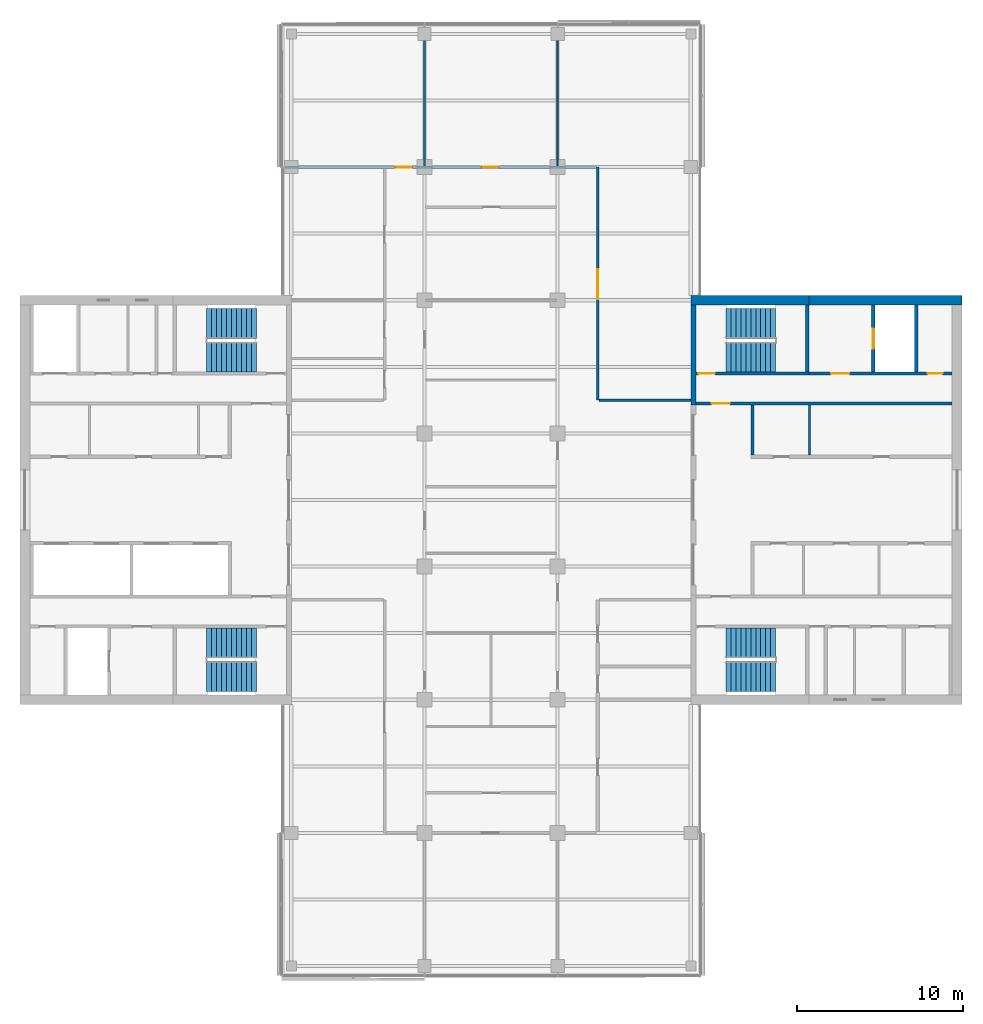
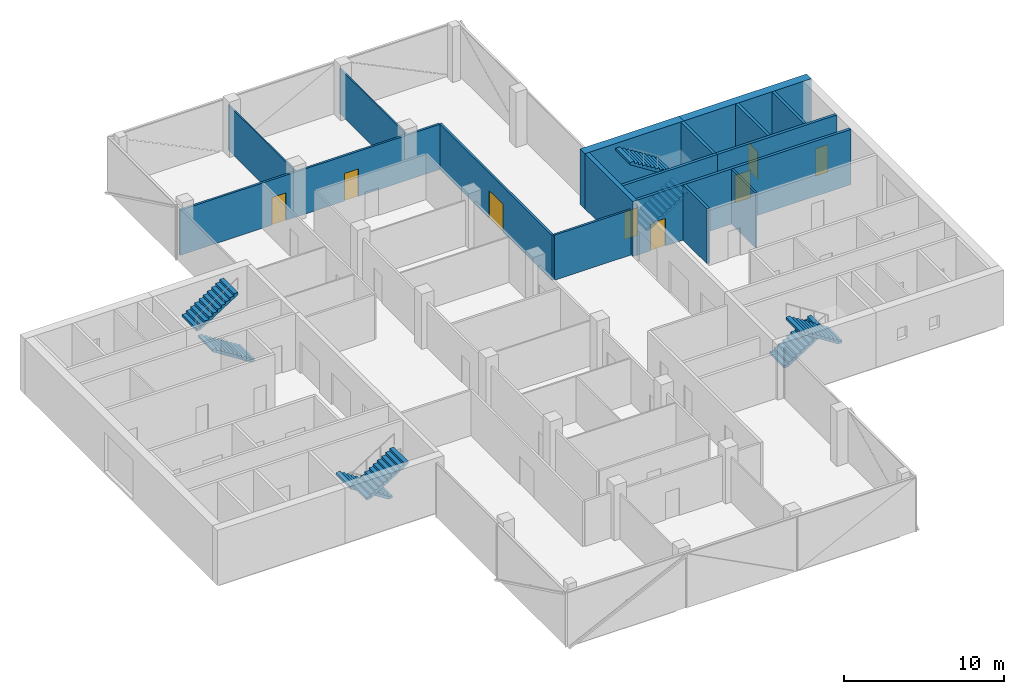
# One storey, part 12 of 15: 16 walls, 8 doors, 8 stair flights, 8 openings, 4 elements without a shape of their own.
"""IFC4 building model written with IfcOpenShell, lengths in metres."""

from ifc_helpers import new_model, si_unit, direction, frame, frame_2d, origin, place, context, subcontext, project, spatial, polyline, rectangle, outline, extrude, material, layer, layer_set, constituent, constituent_set, type_object, element, fill, aggregate, save


model = new_model("IFC4")

# Units and contexts
model_context = context("Model", 3, precision=1e-05, world=origin(), true_north=direction((0.0, 1.0)))
body_context = subcontext(model_context, "Body", "Model", "MODEL_VIEW")
ifc_project = project(units=[si_unit("LENGTHUNIT", "METRE"), si_unit("AREAUNIT", "SQUARE_METRE"), si_unit("VOLUMEUNIT", "CUBIC_METRE"), si_unit("PLANEANGLEUNIT", "RADIAN"), si_unit("MASSUNIT", "GRAM", prefix="KILO")], contexts=[model_context])

# Site, building, storey
site_placement = place(None, origin())
site = spatial("IfcSite", under=ifc_project, at=site_placement, CompositionType="ELEMENT")
building_placement = place(site_placement, origin())
building = spatial("IfcBuilding", under=site, at=building_placement, Name="Crosswind Convention Tower", CompositionType="ELEMENT")
storey_placement = place(building_placement, frame((0.0, 0.0, 187.300048828125)))
storey = spatial("IfcBuildingStorey", under=building, at=storey_placement, Name="L39", CompositionType="ELEMENT", Elevation=187.300048828125)

# Walls
ifc_material_1 = material(Name="Concrete C50/60", Category="concrete")
ifc_layer_1 = layer(ifc_material_1, 0.300048828125)
ifc_layer_set_1 = layer_set([ifc_layer_1], Name="Concrete C50/60")
wall_type_1 = type_object("IfcWallType", Name="Concrete inner core wall 300", PredefinedType="SHEAR", material=ifc_layer_set_1)
wall_1_placement = place(storey_placement, frame((137.14990234375, 105.699951171875, 0.0), z_axis=(0.0, 0.0, 1.0), x_axis=(0.0, 1.0, 0.0)))
element("IfcWall", 1, at=wall_1_placement, inside=storey, type_object=wall_type_1, Name="Wall EP E L39", PredefinedType="SHEAR", context=body_context, shape_type="SweptSolid", body=[
    extrude(rectangle(XDim=6.0, YDim=0.300048828125, at=frame_2d((3.0, 0.0))), origin(), (0.0, 0.0, 1.0), 4.199951171875),
])
ifc_layer_2 = layer(ifc_material_1, 0.199951171875)
ifc_layer_set_2 = layer_set([ifc_layer_2], Name="Concrete C50/60")
wall_type_2 = type_object("IfcWallType", Name="Concrete shaft and stair wall 200", PredefinedType="SHEAR", material=ifc_layer_set_2)
wall_2_placement = place(storey_placement, frame((140.699951171875, 102.699951171875, 0.0), z_axis=(0.0, 0.0, 1.0), x_axis=(0.0, 1.0, 0.0)))
element("IfcWall", 2, at=wall_2_placement, inside=storey, type_object=wall_type_2, Name="Wall RPEND E L39", PredefinedType="SHEAR", context=body_context, shape_type="SweptSolid", body=[
    extrude(rectangle(XDim=3.0, YDim=0.199951171875, at=frame_2d((1.5, 0.0))), origin(), (0.0, 0.0, 1.0), 4.199951171875),
])

# Wall, opening, door
wall_3_placement = place(storey_placement, frame((137.300048828125, 105.800048828125, 0.0), z_axis=(0.0, 0.0, 1.0), x_axis=(1.0, 0.0, 0.0)))
wall_3 = element("IfcWall", 3, at=wall_3_placement, inside=storey, type_object=wall_type_2, Name="Wall HP E L39", PredefinedType="SHEAR", context=body_context, shape_type="SweptSolid", body=[
    extrude(rectangle(XDim=15.39990234375, YDim=0.199951171875, at=frame_2d((7.699951171875, 0.0))), origin(), (0.0, 0.0, 1.0), 4.199951171875),
])
opening_1_placement = place(wall_3_placement, frame((0.949951171875, 0.0, 0.0)))
opening_1 = element("IfcOpeningElement", 4, at=opening_1_placement, cuts=wall_3, Name="Opening D104", PredefinedType="OPENING", context=body_context, shape_type="SweptSolid", body=[
    extrude(rectangle(XDim=1.10009765625, YDim=2.10009765625, at=frame_2d((0.550048828125, 1.050048828125))), frame((0.0, 0.10986328125, 0.0), z_axis=(0.0, -1.0, 0.0), x_axis=(1.0, 0.0, 0.0)), (0.0, 0.0, 1.0), 0.219970703125),
])
ifc_material_2 = material(Name="Steel fire door", Category="steel")
door_type_1 = type_object("IfcDoorType", Name="Fire-rated single door 1100x2100", OperationType="NOTDEFINED", PredefinedType="DOOR", material=ifc_material_2)
door_1_placement = place(opening_1_placement, origin())
door_1 = element("IfcDoor", 5, at=door_1_placement, inside=storey, type_object=door_type_1, Name="Corridor door L39", ObjectType="D104", OperationType="SINGLE_SWING_LEFT", OverallHeight=2.10009765625, OverallWidth=1.10009765625, PredefinedType="DOOR", context=body_context, shape_type="SweptSolid", body=[
    extrude(rectangle(XDim=1.10009765625, YDim=2.10009765625, at=frame_2d((0.550048828125, 1.050048828125))), frame((0.0, 0.02490234375, 0.0), z_axis=(0.0, -1.0, 0.0), x_axis=(1.0, 0.0, 0.0)), (0.0, 0.0, 1.0), 0.050048828125),
])
fill(opening_1, door_1)

# Wall
wall_4_placement = place(storey_placement, frame((144.0, 107.699951171875, 0.0), z_axis=(0.0, 0.0, 1.0), x_axis=(0.0, 1.0, 0.0)))
element("IfcWall", 6, at=wall_4_placement, inside=storey, type_object=wall_type_2, Name="Wall PSE E L39", PredefinedType="SHEAR", context=body_context, shape_type="SweptSolid", body=[
    extrude(rectangle(XDim=4.0, YDim=0.199951171875, at=frame_2d((2.0, 0.0))), origin(), (0.0, 0.0, 1.0), 4.199951171875),
])

# Wall, opening, door
wall_5_placement = place(storey_placement, frame((147.949951171875, 107.699951171875, 0.0), z_axis=(0.0, 0.0, 1.0), x_axis=(0.0, 1.0, 0.0)))
wall_5 = element("IfcWall", 7, at=wall_5_placement, inside=storey, type_object=wall_type_2, Name="Wall PFLW E L39", PredefinedType="SHEAR", context=body_context, shape_type="SweptSolid", body=[
    extrude(rectangle(XDim=4.0, YDim=0.199951171875, at=frame_2d((2.0, 0.0))), origin(), (0.0, 0.0, 1.0), 4.199951171875),
])
opening_2_placement = place(wall_5_placement, frame((1.39990234375, 0.0, 0.0)))
opening_2 = element("IfcOpeningElement", 8, at=opening_2_placement, cuts=wall_5, Name="Opening LD1", PredefinedType="OPENING", context=body_context, shape_type="SweptSolid", body=[
    extrude(rectangle(XDim=1.199951171875, YDim=2.10009765625, at=frame_2d((0.60009765625, 1.050048828125))), frame((0.0, 0.10986328125, 0.0), z_axis=(0.0, -1.0, 0.0), x_axis=(1.0, 0.0, 0.0)), (0.0, 0.0, 1.0), 0.219970703125),
])
ifc_material_3 = material(Name="Stainless steel", Category="steel")
door_type_2 = type_object("IfcDoorType", Name="Lift landing door 1200x2100", OperationType="DOUBLE_DOOR_SLIDING", PredefinedType="DOOR", material=ifc_material_3)
door_2_placement = place(opening_2_placement, origin())
door_2 = element("IfcDoor", 9, at=door_2_placement, inside=storey, type_object=door_type_2, Name="Landing door FF1 L39", ObjectType="LD1", OperationType="DOUBLE_DOOR_SLIDING", OverallHeight=2.10009765625, OverallWidth=1.199951171875, PredefinedType="DOOR", context=body_context, shape_type="SweptSolid", body=[
    extrude(rectangle(XDim=1.199951171875, YDim=2.10009765625, at=frame_2d((0.60009765625, 1.050048828125))), frame((0.0, 0.02490234375, 0.0), z_axis=(0.0, -1.0, 0.0), x_axis=(1.0, 0.0, 0.0)), (0.0, 0.0, 1.0), 0.050048828125),
])
fill(opening_2, door_2)

# Wall
wall_6_placement = place(storey_placement, frame((150.550048828125, 107.699951171875, 0.0), z_axis=(0.0, 0.0, 1.0), x_axis=(0.0, 1.0, 0.0)))
element("IfcWall", 10, at=wall_6_placement, inside=storey, type_object=wall_type_2, Name="Wall PFSE E L39", PredefinedType="SHEAR", context=body_context, shape_type="SweptSolid", body=[
    extrude(rectangle(XDim=4.0, YDim=0.199951171875, at=frame_2d((2.0, 0.0))), origin(), (0.0, 0.0, 1.0), 4.199951171875),
])

# Wall, opening, door
wall_7_placement = place(storey_placement, frame((137.300048828125, 107.60009765625, 0.0), z_axis=(0.0, 0.0, 1.0), x_axis=(1.0, 0.0, 0.0)))
wall_7 = element("IfcWall", 11, at=wall_7_placement, inside=storey, type_object=wall_type_2, Name="Wall PCW E L39", PredefinedType="SHEAR", context=body_context, shape_type="SweptSolid", body=[
    extrude(rectangle(XDim=6.800048828125, YDim=0.199951171875, at=frame_2d((3.39990234375, 0.0))), origin(), (0.0, 0.0, 1.0), 4.199951171875),
])
opening_3_placement = place(wall_7_placement, frame((0.14990234375, 0.0, 0.0)))
opening_3 = element("IfcOpeningElement", 12, at=opening_3_placement, cuts=wall_7, Name="Opening D103", PredefinedType="OPENING", context=body_context, shape_type="SweptSolid", body=[
    extrude(rectangle(XDim=1.0, YDim=2.10009765625, at=frame_2d((0.5, 1.050048828125))), frame((0.0, 0.10986328125, 0.0), z_axis=(0.0, -1.0, 0.0), x_axis=(1.0, 0.0, 0.0)), (0.0, 0.0, 1.0), 0.219970703125),
])
door_type_3 = type_object("IfcDoorType", Name="Fire-rated single door 1000x2100", OperationType="NOTDEFINED", PredefinedType="DOOR", material=ifc_material_2)
door_3_placement = place(opening_3_placement, origin())
door_3 = element("IfcDoor", 13, at=door_3_placement, inside=storey, type_object=door_type_3, Name="Stair ST1 door L39", ObjectType="D103", OperationType="SINGLE_SWING_LEFT", OverallHeight=2.10009765625, OverallWidth=1.0, PredefinedType="DOOR", context=body_context, shape_type="SweptSolid", body=[
    extrude(rectangle(XDim=1.0, YDim=2.10009765625, at=frame_2d((0.5, 1.050048828125))), frame((0.0, 0.02490234375, 0.0), z_axis=(0.0, -1.0, 0.0), x_axis=(1.0, 0.0, 0.0)), (0.0, 0.0, 1.0), 0.050048828125),
])
fill(opening_3, door_3)

# Wall, openings, doors
wall_8_placement = place(storey_placement, frame((144.10009765625, 107.60009765625, 0.0), z_axis=(0.0, 0.0, 1.0), x_axis=(1.0, 0.0, 0.0)))
wall_8 = element("IfcWall", 14, at=wall_8_placement, inside=storey, type_object=wall_type_2, Name="Wall PCX E L39", PredefinedType="SHEAR", context=body_context, shape_type="SweptSolid", body=[
    extrude(rectangle(XDim=8.599853515625, YDim=0.199951171875, at=frame_2d((4.2998046875, 0.0))), origin(), (0.0, 0.0, 1.0), 4.199951171875),
])
opening_4_placement = place(wall_8_placement, frame((1.324951171875, 0.0, 0.0)))
opening_4 = element("IfcOpeningElement", 15, at=opening_4_placement, cuts=wall_8, Name="Opening D104", PredefinedType="OPENING", context=body_context, shape_type="SweptSolid", body=[
    extrude(rectangle(XDim=1.10009765625, YDim=2.10009765625, at=frame_2d((0.550048828125, 1.050048828125))), frame((0.0, 0.10986328125, 0.0), z_axis=(0.0, -1.0, 0.0), x_axis=(1.0, 0.0, 0.0)), (0.0, 0.0, 1.0), 0.219970703125),
])
opening_5_placement = place(wall_8_placement, frame((7.125, 0.0, 0.0)))
opening_5 = element("IfcOpeningElement", 16, at=opening_5_placement, cuts=wall_8, Name="Opening D106", PredefinedType="OPENING", context=body_context, shape_type="SweptSolid", body=[
    extrude(rectangle(XDim=0.89990234375, YDim=2.10009765625, at=frame_2d((0.449951171875, 1.050048828125))), frame((0.0, 0.10986328125, 0.0), z_axis=(0.0, -1.0, 0.0), x_axis=(1.0, 0.0, 0.0)), (0.0, 0.0, 1.0), 0.219970703125),
])
door_4_placement = place(opening_4_placement, origin())
door_4 = element("IfcDoor", 17, at=door_4_placement, inside=storey, type_object=door_type_1, Name="Fire-fighting lobby FF1 door L39", ObjectType="D104", OperationType="SINGLE_SWING_RIGHT", OverallHeight=2.10009765625, OverallWidth=1.10009765625, PredefinedType="DOOR", context=body_context, shape_type="SweptSolid", body=[
    extrude(rectangle(XDim=1.10009765625, YDim=2.10009765625, at=frame_2d((0.550048828125, 1.050048828125))), frame((0.0, 0.02490234375, 0.0), z_axis=(0.0, -1.0, 0.0), x_axis=(1.0, 0.0, 0.0)), (0.0, 0.0, 1.0), 0.050048828125),
])
fill(opening_4, door_4)
ifc_material_4 = material(Name="Timber door", Category="wood")
door_type_4 = type_object("IfcDoorType", Name="Single leaf door 900x2100", OperationType="NOTDEFINED", PredefinedType="DOOR", material=ifc_material_4)
door_5_placement = place(opening_5_placement, origin())
door_5 = element("IfcDoor", 18, at=door_5_placement, inside=storey, type_object=door_type_4, Name="Door to comms room L39", ObjectType="D106", OperationType="SINGLE_SWING_RIGHT", OverallHeight=2.10009765625, OverallWidth=0.89990234375, PredefinedType="DOOR", context=body_context, shape_type="SweptSolid", body=[
    extrude(rectangle(XDim=0.89990234375, YDim=2.10009765625, at=frame_2d((0.449951171875, 1.050048828125))), frame((0.0, 0.02490234375, 0.0), z_axis=(0.0, -1.0, 0.0), x_axis=(1.0, 0.0, 0.0)), (0.0, 0.0, 1.0), 0.050048828125),
])
fill(opening_5, door_5)

# Walls
ifc_material_5 = material(Name="Gypsum plasterboard partition", Category="gypsum")
ifc_layer_3 = layer(ifc_material_5, 0.125)
ifc_layer_set_3 = layer_set([ifc_layer_3], Name="Drywall partition wall 125")
wall_type_3 = type_object("IfcWallType", Name="Drywall partition wall 125", PredefinedType="PARTITIONING", material=ifc_layer_set_3)
wall_9_placement = place(storey_placement, frame((144.132080078125, 102.699951171875, 0.0), z_axis=(0.0, 0.0, 1.0), x_axis=(0.0, 1.0, 0.0)))
element("IfcWall", 19, at=wall_9_placement, inside=storey, type_object=wall_type_3, Name="Wall RPP1 E L39", PredefinedType="PARTITIONING", context=body_context, shape_type="SweptSolid", body=[
    extrude(rectangle(XDim=3.0, YDim=0.125, at=frame_2d((1.5, 0.0))), origin(), (0.0, 0.0, 1.0), 4.199951171875),
])
ifc_material_6 = material(Name="Plasterboard partition", Category="gypsum")
ifc_layer_4 = layer(ifc_material_6, 0.10009765625)
ifc_layer_set_4 = layer_set([ifc_layer_4], Name="PARTITION 100 METAL STUD")
wall_type_4 = type_object("IfcWallType", Name="PARTITION 100 METAL STUD", PredefinedType="PARTITIONING", material=ifc_layer_set_4)
for number, where, z_axis, x_axis, name in (
    (20, (121.0, 120.074951171875, 0.0), (0.0, 0.0, 1.0), (0.0, 1.0, 0.0), "Partition wall WT40"),
    (21, (129.0, 120.074951171875, 0.0), (0.0, 0.0, 1.0), (0.0, 1.0, 0.0), "Partition wall WT40"),
):
    element("IfcWall", number, at=place(storey_placement, frame(where, z_axis=z_axis, x_axis=x_axis)), inside=storey, type_object=wall_type_4, Name=name, PredefinedType="PARTITIONING", context=body_context, shape_type="SweptSolid", body=[
        extrude(rectangle(XDim=8.295166015625, YDim=0.10009765625, at=frame_2d((4.1474609375, 0.0))), origin(), (0.0, 0.0, 1.0), 3.439697265625),
    ])

# Wall, opening, door
ifc_material_7 = material(Name="Fire-board partition with mineral wool", Category="gypsum")
ifc_layer_5 = layer(ifc_material_7, 0.14990234375)
ifc_layer_set_5 = layer_set([ifc_layer_5], Name="TENANCY WALL 150 TWO-HOUR BOARD")
wall_type_5 = type_object("IfcWallType", Name="TENANCY WALL 150 TWO-HOUR BOARD", PredefinedType="PARTITIONING", material=ifc_layer_set_5)
wall_10_placement = place(storey_placement, frame((131.39990234375, 106.0, 0.0), z_axis=(0.0, 0.0, 1.0), x_axis=(0.0, 1.0, 0.0)))
wall_10 = element("IfcWall", 22, at=wall_10_placement, inside=storey, type_object=wall_type_5, Name="Tenancy wall WT41", PredefinedType="PARTITIONING", context=body_context, shape_type="SweptSolid", body=[
    extrude(rectangle(XDim=14.0, YDim=0.14990234375, at=frame_2d((7.0, 0.0))), origin(), (0.0, 0.0, 1.0), 3.439697265625),
])
opening_6_placement = place(wall_10_placement, frame((6.050048828125, 0.0, 0.0)))
opening_6 = element("IfcOpeningElement", 23, at=opening_6_placement, cuts=wall_10, Name="Opening L39-50", PredefinedType="OPENING", context=body_context, shape_type="SweptSolid", body=[
    extrude(rectangle(XDim=1.800048828125, YDim=2.10009765625, at=frame_2d((0.89990234375, 1.050048828125))), frame((0.0, 0.0849609375, 0.0), z_axis=(0.0, -1.0, 0.0), x_axis=(1.0, 0.0, 0.0)), (0.0, 0.0, 1.0), 0.169921875),
])
ifc_material_8 = material(Name="Timber fire door", Category="wood")
door_type_5 = type_object("IfcDoorType", Name="TENANCY ENTRANCE DOUBLE DOOR 1800X2100 FD30S", OperationType="DOUBLE_DOOR_SINGLE_SWING", PredefinedType="DOOR", material=ifc_material_8)
door_6_placement = place(opening_6_placement, frame((1.800048828125, 0.0, 0.0), z_axis=(0.0, 0.0, 1.0), x_axis=(-1.0, 0.0, 0.0)))
door_6 = element("IfcDoor", 24, at=door_6_placement, inside=storey, type_object=door_type_5, Name="Door L39-50", ObjectType="D42", OperationType="DOUBLE_DOOR_SINGLE_SWING", OverallHeight=2.10009765625, OverallWidth=1.800048828125, PredefinedType="DOOR", context=body_context, shape_type="SweptSolid", body=[
    extrude(rectangle(XDim=1.800048828125, YDim=2.10009765625, at=frame_2d((0.89990234375, 1.050048828125))), frame((0.0, 0.02490234375, 0.0), z_axis=(0.0, -1.0, 0.0), x_axis=(1.0, 0.0, 0.0)), (0.0, 0.0, 1.0), 0.050048828125),
])
fill(opening_6, door_6)

# Wall
wall_11_placement = place(storey_placement, frame((131.47509765625, 106.0, 0.0), z_axis=(0.0, 0.0, 1.0), x_axis=(1.0, 0.0, 0.0)))
element("IfcWall", 25, at=wall_11_placement, inside=storey, type_object=wall_type_5, Name="Tenancy wall WT41", PredefinedType="PARTITIONING", context=body_context, shape_type="SweptSolid", body=[
    extrude(rectangle(XDim=5.52490234375, YDim=0.14990234375, at=frame_2d((2.762451171875, 0.0))), origin(), (0.0, 0.0, 1.0), 3.439697265625),
])

# Wall, openings, doors
wall_12_placement = place(storey_placement, frame((112.6298828125, 120.0, 0.0), z_axis=(0.0, 0.0, 1.0), x_axis=(1.0, 0.0, 0.0)))
wall_12 = element("IfcWall", 26, at=wall_12_placement, inside=storey, type_object=wall_type_5, Name="Tenancy wall WT41", PredefinedType="PARTITIONING", context=body_context, shape_type="SweptSolid", body=[
    extrude(rectangle(XDim=18.695068359375, YDim=0.14990234375, at=frame_2d((9.34765625, 0.0))), origin(), (0.0, 0.0, 1.0), 3.439697265625),
])
opening_7_placement = place(wall_12_placement, frame((6.6201171875, 0.0, 0.0)))
opening_7 = element("IfcOpeningElement", 27, at=opening_7_placement, cuts=wall_12, Name="Opening L39-58", PredefinedType="OPENING", context=body_context, shape_type="SweptSolid", body=[
    extrude(rectangle(XDim=1.0, YDim=2.10009765625, at=frame_2d((0.5, 1.050048828125))), frame((0.0, 0.0849609375, 0.0), z_axis=(0.0, -1.0, 0.0), x_axis=(1.0, 0.0, 0.0)), (0.0, 0.0, 1.0), 0.169921875),
])
opening_8_placement = place(wall_12_placement, frame((11.820068359375, 0.0, 0.0)))
opening_8 = element("IfcOpeningElement", 28, at=opening_8_placement, cuts=wall_12, Name="Opening L39-59", PredefinedType="OPENING", context=body_context, shape_type="SweptSolid", body=[
    extrude(rectangle(XDim=1.0, YDim=2.10009765625, at=frame_2d((0.5, 1.050048828125))), frame((0.0, 0.0849609375, 0.0), z_axis=(0.0, -1.0, 0.0), x_axis=(1.0, 0.0, 0.0)), (0.0, 0.0, 1.0), 0.169921875),
])
door_type_6 = type_object("IfcDoorType", Name="TENANCY ENTRANCE DOOR 1000X2100 FD30S", OperationType="NOTDEFINED", PredefinedType="DOOR", material=ifc_material_8)
door_7_placement = place(opening_7_placement, origin())
door_7 = element("IfcDoor", 29, at=door_7_placement, inside=storey, type_object=door_type_6, Name="Door L39-58", ObjectType="D41", OperationType="SINGLE_SWING_RIGHT", OverallHeight=2.10009765625, OverallWidth=1.0, PredefinedType="DOOR", context=body_context, shape_type="SweptSolid", body=[
    extrude(rectangle(XDim=1.0, YDim=2.10009765625, at=frame_2d((0.5, 1.050048828125))), frame((0.0, 0.02490234375, 0.0), z_axis=(0.0, -1.0, 0.0), x_axis=(1.0, 0.0, 0.0)), (0.0, 0.0, 1.0), 0.050048828125),
])
fill(opening_7, door_7)
door_8_placement = place(opening_8_placement, frame((1.0, 0.0, 0.0), z_axis=(0.0, 0.0, 1.0), x_axis=(-1.0, 0.0, 0.0)))
door_8 = element("IfcDoor", 30, at=door_8_placement, inside=storey, type_object=door_type_6, Name="Door L39-59", ObjectType="D41", OperationType="SINGLE_SWING_RIGHT", OverallHeight=2.10009765625, OverallWidth=1.0, PredefinedType="DOOR", context=body_context, shape_type="SweptSolid", body=[
    extrude(rectangle(XDim=1.0, YDim=2.10009765625, at=frame_2d((0.5, 1.050048828125))), frame((0.0, 0.02490234375, 0.0), z_axis=(0.0, -1.0, 0.0), x_axis=(1.0, 0.0, 0.0)), (0.0, 0.0, 1.0), 0.050048828125),
])
fill(opening_8, door_8)

# Walls
ifc_material_9 = material(Name="Concrete C60/75", Category="concrete")
ifc_constituent_1 = constituent(ifc_material_9, Name="Structure")
ifc_material_10 = material(Name="Terracotta rainscreen", Category="ceramic")
ifc_constituent_2 = constituent(ifc_material_10, Name="Facing")
ifc_constituent_set = constituent_set(constituents=[ifc_constituent_1, ifc_constituent_2], Name="Concrete C60/75, Terracotta rainscreen")
wall_type_6 = type_object("IfcWallType", Name="Terracotta rainscreen on concrete core wall 600", PredefinedType="SHEAR", material=ifc_constituent_set)
wall_13_placement = place(storey_placement, frame((137.0, 112.0, 0.0), z_axis=(0.0, 0.0, 1.0), x_axis=(1.0, 0.0, 0.0)))
element("IfcWall", 31, at=wall_13_placement, inside=storey, type_object=wall_type_6, Name="Wall N1 E L39", PredefinedType="SHEAR", context=body_context, shape_type="SweptSolid", body=[
    extrude(rectangle(XDim=7.10009765625, YDim=0.60009765625, at=frame_2d((3.550048828125, 0.0))), origin(), (0.0, 0.0, 1.0), 4.199951171875),
])
wall_14_placement = place(storey_placement, frame((144.10009765625, 112.0, 0.0), z_axis=(0.0, 0.0, 1.0), x_axis=(1.0, 0.0, 0.0)))
element("IfcWall", 32, at=wall_14_placement, inside=storey, type_object=wall_type_6, Name="Wall N2 E L39", PredefinedType="SHEAR", context=body_context, shape_type="SweptSolid", body=[
    extrude(rectangle(XDim=9.199951171875, YDim=0.60009765625, at=frame_2d((4.60009765625, 0.0))), origin(), (0.0, 0.0, 1.0), 4.199951171875),
])

# Stair, stair flights
ifc_material_11 = material(Name="Concrete C40/50", Category="concrete")
stair_type = type_object("IfcStairType", Name="Exit stair 1800 wide, 2 flights of 11 risers", PredefinedType="HALF_TURN_STAIR", material=ifc_material_11)
stair_1_placement = place(storey_placement, origin())
stair_1 = element("IfcStair", 33, at=stair_1_placement, inside=storey, type_object=stair_type, Name="Exit stair ST1 L39", ObjectType="ST5", PredefinedType="HALF_TURN_STAIR")
stair_flight_type = type_object("IfcStairFlightType", Name="Stair flight 1800 wide, 11 risers (SF4)", PredefinedType="STRAIGHT", material=ifc_material_11)
stair_flight_1_placement = place(storey_placement, frame((139.10009765625, 108.60009765625, 0.0), z_axis=(0.0, 0.0, 1.0), x_axis=(1.0, 0.0, 0.0)))
stair_flight_1 = element("IfcStairFlight", 34, at=stair_flight_1_placement, type_object=stair_flight_type, Name="ST1 flight 1", NumberOfRisers=11, NumberOfTreads=10, PredefinedType="STRAIGHT", RiserHeight=0.190909091, TreadLength=0.3, context=body_context, shape_type="SweptSolid", body=[
    extrude(outline(polyline([(0.0, 0.0), (0.0, 0.19091796875), (0.300048828125, 0.19091796875), (0.300048828125, 0.3818359375), (0.60009765625, 0.3818359375), (0.60009765625, 0.57275390625), (0.89990234375, 0.57275390625), (0.89990234375, 0.763671875), (1.199951171875, 0.763671875), (1.199951171875, 0.95458984375), (1.5, 0.95458984375), (1.5, 1.1455078125), (1.800048828125, 1.1455078125), (1.800048828125, 1.33642578125), (2.10009765625, 1.33642578125), (2.10009765625, 1.52734375), (2.39990234375, 1.52734375), (2.39990234375, 1.71826171875), (2.699951171875, 1.71826171875), (2.699951171875, 1.9091796875), (3.0, 1.9091796875), (3.0, 2.10009765625), (3.0, 1.7314453125), (0.279296875, 0.0), (0.0, 0.0)])), frame((0.0, 0.89990234375, 0.0), z_axis=(0.0, -1.0, 0.0), x_axis=(1.0, 0.0, 0.0)), (0.0, 0.0, 1.0), 1.800048828125),
])
stair_flight_2_placement = place(storey_placement, frame((142.10009765625, 110.60009765625, 2.099853515625), z_axis=(0.0, 0.0, 1.0), x_axis=(-1.0, 0.0, 0.0)))
stair_flight_2 = element("IfcStairFlight", 35, at=stair_flight_2_placement, type_object=stair_flight_type, Name="ST1 flight 2", NumberOfRisers=11, NumberOfTreads=10, PredefinedType="STRAIGHT", RiserHeight=0.190909091, TreadLength=0.3, context=body_context, shape_type="SweptSolid", body=[
    extrude(outline(polyline([(0.0, 0.0), (0.0, 0.19091796875), (0.300048828125, 0.19091796875), (0.300048828125, 0.3818359375), (0.60009765625, 0.3818359375), (0.60009765625, 0.57275390625), (0.89990234375, 0.57275390625), (0.89990234375, 0.763671875), (1.199951171875, 0.763671875), (1.199951171875, 0.95458984375), (1.5, 0.95458984375), (1.5, 1.1455078125), (1.800048828125, 1.1455078125), (1.800048828125, 1.33642578125), (2.10009765625, 1.33642578125), (2.10009765625, 1.52734375), (2.39990234375, 1.52734375), (2.39990234375, 1.71826171875), (2.699951171875, 1.71826171875), (2.699951171875, 1.9091796875), (3.0, 1.9091796875), (3.0, 2.10009765625), (3.0, 1.7314453125), (0.279296875, 0.0), (0.0, 0.0)])), frame((0.0, 0.89990234375, 0.0), z_axis=(0.0, -1.0, 0.0), x_axis=(1.0, 0.0, 0.0)), (0.0, 0.0, 1.0), 1.800048828125),
])
aggregate(stair_1, [stair_flight_1, stair_flight_2])

stair_2_placement = place(storey_placement, origin())
stair_2 = element("IfcStair", 36, at=stair_2_placement, inside=storey, type_object=stair_type, Name="Exit stair ST2 L39", ObjectType="ST5", PredefinedType="HALF_TURN_STAIR")
stair_flight_3_placement = place(storey_placement, frame((139.10009765625, 91.39990234375, 0.0), z_axis=(0.0, 0.0, 1.0), x_axis=(1.0, 0.0, 0.0)))
stair_flight_3 = element("IfcStairFlight", 37, at=stair_flight_3_placement, type_object=stair_flight_type, Name="ST2 flight 1", NumberOfRisers=11, NumberOfTreads=10, PredefinedType="STRAIGHT", RiserHeight=0.190909091, TreadLength=0.3, context=body_context, shape_type="SweptSolid", body=[
    extrude(outline(polyline([(0.0, 0.0), (0.0, 0.19091796875), (0.300048828125, 0.19091796875), (0.300048828125, 0.3818359375), (0.60009765625, 0.3818359375), (0.60009765625, 0.57275390625), (0.89990234375, 0.57275390625), (0.89990234375, 0.763671875), (1.199951171875, 0.763671875), (1.199951171875, 0.95458984375), (1.5, 0.95458984375), (1.5, 1.1455078125), (1.800048828125, 1.1455078125), (1.800048828125, 1.33642578125), (2.10009765625, 1.33642578125), (2.10009765625, 1.52734375), (2.39990234375, 1.52734375), (2.39990234375, 1.71826171875), (2.699951171875, 1.71826171875), (2.699951171875, 1.9091796875), (3.0, 1.9091796875), (3.0, 2.10009765625), (3.0, 1.7314453125), (0.279296875, 0.0), (0.0, 0.0)])), frame((0.0, 0.89990234375, 0.0), z_axis=(0.0, -1.0, 0.0), x_axis=(1.0, 0.0, 0.0)), (0.0, 0.0, 1.0), 1.800048828125),
])
stair_flight_4_placement = place(storey_placement, frame((142.10009765625, 89.39990234375, 2.099853515625), z_axis=(0.0, 0.0, 1.0), x_axis=(-1.0, 0.0, 0.0)))
stair_flight_4 = element("IfcStairFlight", 38, at=stair_flight_4_placement, type_object=stair_flight_type, Name="ST2 flight 2", NumberOfRisers=11, NumberOfTreads=10, PredefinedType="STRAIGHT", RiserHeight=0.190909091, TreadLength=0.3, context=body_context, shape_type="SweptSolid", body=[
    extrude(outline(polyline([(0.0, 0.0), (0.0, 0.19091796875), (0.300048828125, 0.19091796875), (0.300048828125, 0.3818359375), (0.60009765625, 0.3818359375), (0.60009765625, 0.57275390625), (0.89990234375, 0.57275390625), (0.89990234375, 0.763671875), (1.199951171875, 0.763671875), (1.199951171875, 0.95458984375), (1.5, 0.95458984375), (1.5, 1.1455078125), (1.800048828125, 1.1455078125), (1.800048828125, 1.33642578125), (2.10009765625, 1.33642578125), (2.10009765625, 1.52734375), (2.39990234375, 1.52734375), (2.39990234375, 1.71826171875), (2.699951171875, 1.71826171875), (2.699951171875, 1.9091796875), (3.0, 1.9091796875), (3.0, 2.10009765625), (3.0, 1.7314453125), (0.279296875, 0.0), (0.0, 0.0)])), frame((0.0, 0.89990234375, 0.0), z_axis=(0.0, -1.0, 0.0), x_axis=(1.0, 0.0, 0.0)), (0.0, 0.0, 1.0), 1.800048828125),
])
aggregate(stair_2, [stair_flight_3, stair_flight_4])

stair_3_placement = place(storey_placement, origin())
stair_3 = element("IfcStair", 39, at=stair_3_placement, inside=storey, type_object=stair_type, Name="Exit stair ST3 L39", ObjectType="ST5", PredefinedType="HALF_TURN_STAIR")
stair_flight_5_placement = place(storey_placement, frame((110.89990234375, 91.39990234375, 0.0), z_axis=(0.0, 0.0, 1.0), x_axis=(-1.0, 0.0, 0.0)))
stair_flight_5 = element("IfcStairFlight", 40, at=stair_flight_5_placement, type_object=stair_flight_type, Name="ST3 flight 1", NumberOfRisers=11, NumberOfTreads=10, PredefinedType="STRAIGHT", RiserHeight=0.190909091, TreadLength=0.3, context=body_context, shape_type="SweptSolid", body=[
    extrude(outline(polyline([(0.0, 0.0), (0.0, 0.19091796875), (0.300048828125, 0.19091796875), (0.300048828125, 0.3818359375), (0.60009765625, 0.3818359375), (0.60009765625, 0.57275390625), (0.89990234375, 0.57275390625), (0.89990234375, 0.763671875), (1.199951171875, 0.763671875), (1.199951171875, 0.95458984375), (1.5, 0.95458984375), (1.5, 1.1455078125), (1.800048828125, 1.1455078125), (1.800048828125, 1.33642578125), (2.10009765625, 1.33642578125), (2.10009765625, 1.52734375), (2.39990234375, 1.52734375), (2.39990234375, 1.71826171875), (2.699951171875, 1.71826171875), (2.699951171875, 1.9091796875), (3.0, 1.9091796875), (3.0, 2.10009765625), (3.0, 1.7314453125), (0.279296875, 0.0), (0.0, 0.0)])), frame((0.0, 0.89990234375, 0.0), z_axis=(0.0, -1.0, 0.0), x_axis=(1.0, 0.0, 0.0)), (0.0, 0.0, 1.0), 1.800048828125),
])
stair_flight_6_placement = place(storey_placement, frame((107.89990234375, 89.39990234375, 2.099853515625), z_axis=(0.0, 0.0, 1.0), x_axis=(1.0, 0.0, 0.0)))
stair_flight_6 = element("IfcStairFlight", 41, at=stair_flight_6_placement, type_object=stair_flight_type, Name="ST3 flight 2", NumberOfRisers=11, NumberOfTreads=10, PredefinedType="STRAIGHT", RiserHeight=0.190909091, TreadLength=0.3, context=body_context, shape_type="SweptSolid", body=[
    extrude(outline(polyline([(0.0, 0.0), (0.0, 0.19091796875), (0.300048828125, 0.19091796875), (0.300048828125, 0.3818359375), (0.60009765625, 0.3818359375), (0.60009765625, 0.57275390625), (0.89990234375, 0.57275390625), (0.89990234375, 0.763671875), (1.199951171875, 0.763671875), (1.199951171875, 0.95458984375), (1.5, 0.95458984375), (1.5, 1.1455078125), (1.800048828125, 1.1455078125), (1.800048828125, 1.33642578125), (2.10009765625, 1.33642578125), (2.10009765625, 1.52734375), (2.39990234375, 1.52734375), (2.39990234375, 1.71826171875), (2.699951171875, 1.71826171875), (2.699951171875, 1.9091796875), (3.0, 1.9091796875), (3.0, 2.10009765625), (3.0, 1.7314453125), (0.279296875, 0.0), (0.0, 0.0)])), frame((0.0, 0.89990234375, 0.0), z_axis=(0.0, -1.0, 0.0), x_axis=(1.0, 0.0, 0.0)), (0.0, 0.0, 1.0), 1.800048828125),
])
aggregate(stair_3, [stair_flight_5, stair_flight_6])

stair_4_placement = place(storey_placement, origin())
stair_4 = element("IfcStair", 42, at=stair_4_placement, inside=storey, type_object=stair_type, Name="Exit stair ST4 L39", ObjectType="ST5", PredefinedType="HALF_TURN_STAIR")
stair_flight_7_placement = place(storey_placement, frame((110.89990234375, 108.60009765625, 0.0), z_axis=(0.0, 0.0, 1.0), x_axis=(-1.0, 0.0, 0.0)))
stair_flight_7 = element("IfcStairFlight", 43, at=stair_flight_7_placement, type_object=stair_flight_type, Name="ST4 flight 1", NumberOfRisers=11, NumberOfTreads=10, PredefinedType="STRAIGHT", RiserHeight=0.190909091, TreadLength=0.3, context=body_context, shape_type="SweptSolid", body=[
    extrude(outline(polyline([(0.0, 0.0), (0.0, 0.19091796875), (0.300048828125, 0.19091796875), (0.300048828125, 0.3818359375), (0.60009765625, 0.3818359375), (0.60009765625, 0.57275390625), (0.89990234375, 0.57275390625), (0.89990234375, 0.763671875), (1.199951171875, 0.763671875), (1.199951171875, 0.95458984375), (1.5, 0.95458984375), (1.5, 1.1455078125), (1.800048828125, 1.1455078125), (1.800048828125, 1.33642578125), (2.10009765625, 1.33642578125), (2.10009765625, 1.52734375), (2.39990234375, 1.52734375), (2.39990234375, 1.71826171875), (2.699951171875, 1.71826171875), (2.699951171875, 1.9091796875), (3.0, 1.9091796875), (3.0, 2.10009765625), (3.0, 1.7314453125), (0.279296875, 0.0), (0.0, 0.0)])), frame((0.0, 0.89990234375, 0.0), z_axis=(0.0, -1.0, 0.0), x_axis=(1.0, 0.0, 0.0)), (0.0, 0.0, 1.0), 1.800048828125),
])
stair_flight_8_placement = place(storey_placement, frame((107.89990234375, 110.60009765625, 2.099853515625), z_axis=(0.0, 0.0, 1.0), x_axis=(1.0, 0.0, 0.0)))
stair_flight_8 = element("IfcStairFlight", 44, at=stair_flight_8_placement, type_object=stair_flight_type, Name="ST4 flight 2", NumberOfRisers=11, NumberOfTreads=10, PredefinedType="STRAIGHT", RiserHeight=0.190909091, TreadLength=0.3, context=body_context, shape_type="SweptSolid", body=[
    extrude(outline(polyline([(0.0, 0.0), (0.0, 0.19091796875), (0.300048828125, 0.19091796875), (0.300048828125, 0.3818359375), (0.60009765625, 0.3818359375), (0.60009765625, 0.57275390625), (0.89990234375, 0.57275390625), (0.89990234375, 0.763671875), (1.199951171875, 0.763671875), (1.199951171875, 0.95458984375), (1.5, 0.95458984375), (1.5, 1.1455078125), (1.800048828125, 1.1455078125), (1.800048828125, 1.33642578125), (2.10009765625, 1.33642578125), (2.10009765625, 1.52734375), (2.39990234375, 1.52734375), (2.39990234375, 1.71826171875), (2.699951171875, 1.71826171875), (2.699951171875, 1.9091796875), (3.0, 1.9091796875), (3.0, 2.10009765625), (3.0, 1.7314453125), (0.279296875, 0.0), (0.0, 0.0)])), frame((0.0, 0.89990234375, 0.0), z_axis=(0.0, -1.0, 0.0), x_axis=(1.0, 0.0, 0.0)), (0.0, 0.0, 1.0), 1.800048828125),
])
aggregate(stair_4, [stair_flight_7, stair_flight_8])

save(model, "model.ifc")
